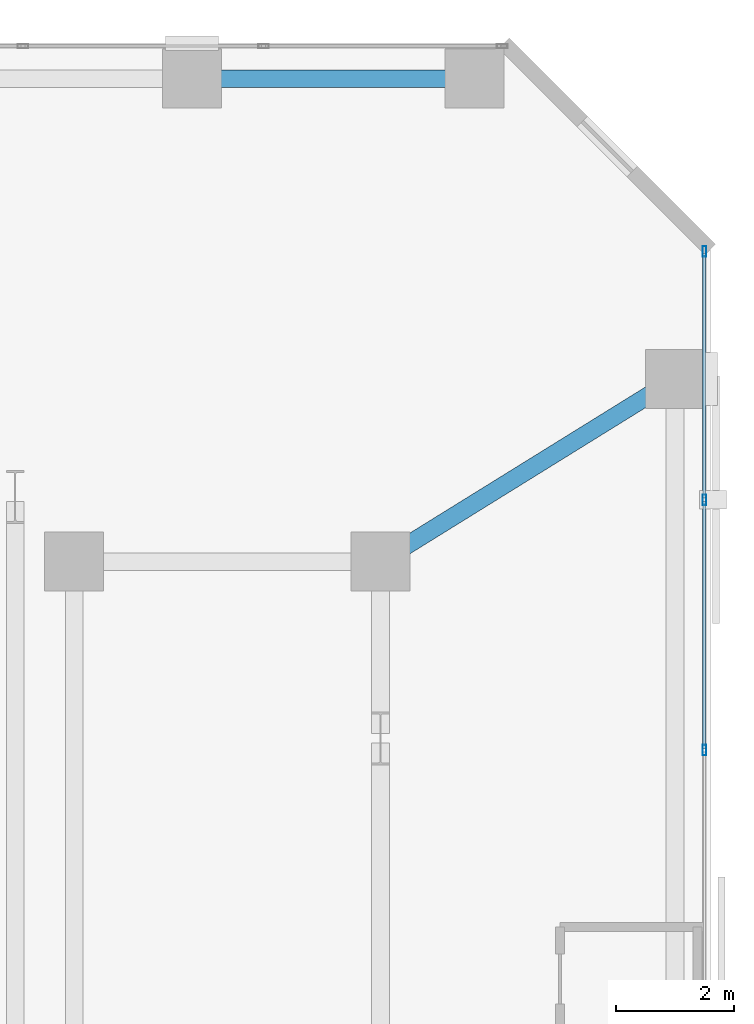
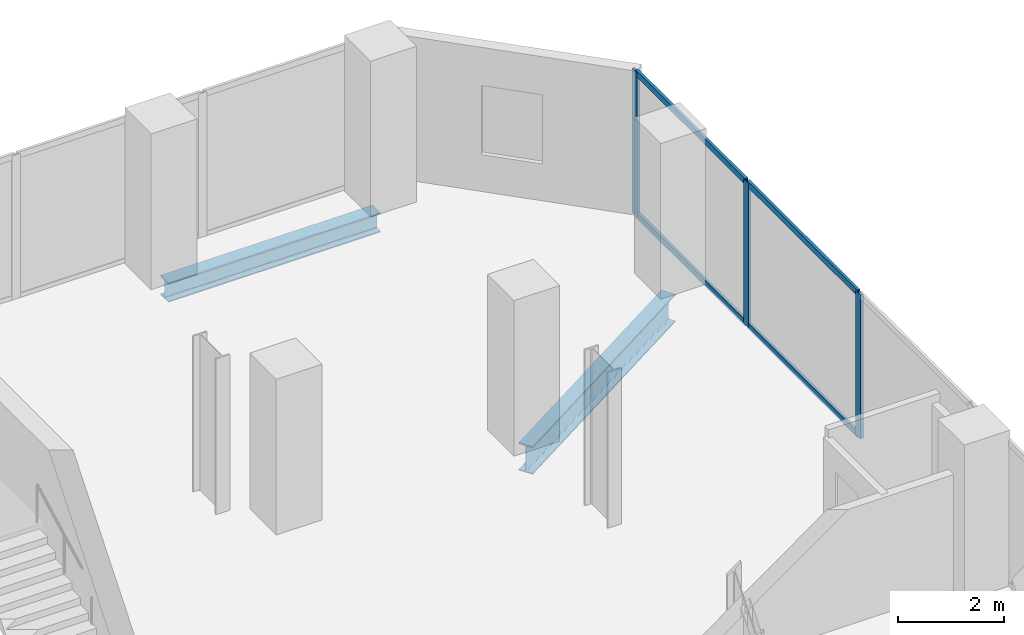
# One storey, part 23 of 31: 7 members, 2 beams, 1 element without a shape of its own.
"""IFC4 building model written with IfcOpenShell, lengths in metres."""

from ifc_helpers import new_model, si_unit, direction, frame, origin, origin_2d, place, context, subcontext, project, spatial, hollow_rectangle, i_section, extrude, material, layer, layer_set, material_profile, profile_set, type_object, element, aggregate, save


model = new_model("IFC4")

# Units and contexts
model_context = context("Model", 3, precision=1e-05, world=origin(), true_north=direction((0.0, 1.0)))
body_context = subcontext(model_context, "Body", "Model", "MODEL_VIEW")
ifc_project = project(units=[si_unit("LENGTHUNIT", "METRE"), si_unit("AREAUNIT", "SQUARE_METRE"), si_unit("VOLUMEUNIT", "CUBIC_METRE"), si_unit("PLANEANGLEUNIT", "RADIAN"), si_unit("MASSUNIT", "GRAM", prefix="KILO")], contexts=[model_context])

# Site, building, storey
site_placement = place(None, origin())
site = spatial("IfcSite", under=ifc_project, at=site_placement, CompositionType="ELEMENT")
building_placement = place(site_placement, origin())
building = spatial("IfcBuilding", under=site, at=building_placement, Name="Catumbela Crestline Tower", CompositionType="ELEMENT")
storey_placement = place(building_placement, frame((0.0, 0.0, 25.8)))
storey = spatial("IfcBuildingStorey", under=building, at=storey_placement, Name="L05", CompositionType="ELEMENT", Elevation=25.8)

# Beam
ifc_material_1 = material(Name="Structural steel S355J2", Category="steel")
ifc_material_profile_1 = material_profile(ifc_material_1, i_section(OverallWidth=0.3, OverallDepth=0.64, WebThickness=0.0135, FlangeThickness=0.026, FilletRadius=0.027, at=origin_2d()), Name="HEA 650")
ifc_profile_set_1 = profile_set([ifc_material_profile_1], Name="Structural steel S355J2")
beam_type_1 = type_object("IfcBeamType", Name="BG-HEA650", PredefinedType="BEAM", material=ifc_profile_set_1)
beam_1_placement = place(storey_placement, frame((50.468, 39.2422, -0.58), z_axis=(0.849908952007, 0.526929571479, 0.0), x_axis=(-0.526929571479, 0.849908952007, 0.0)))
element("IfcBeam", 1, at=beam_1_placement, inside=storey, type_object=beam_type_1, Name="L05 Beam BM-L05-N18", PredefinedType="BEAM", context=body_context, shape_type="SweptSolid", body=[
    extrude(i_section(OverallWidth=0.3, OverallDepth=0.64, WebThickness=0.0135, FlangeThickness=0.026, FilletRadius=0.027, at=origin_2d()), origin(), (0.0, 0.0, 1.0), 5.723),
])

# Curtain wall, members
ifc_material_2 = material(Name="Aluminium alloy AW-6060-T66", Category="aluminium")
ifc_layer = layer(ifc_material_2, 0.18, Name="Aluminium alloy AW-6060-T66")
ifc_layer_set = layer_set([ifc_layer], Name="Aluminium alloy AW-6060-T66")
curtain_wall_type = type_object("IfcCurtainWallType", Name="CWU-Z1", PredefinedType="USERDEFINED", material=ifc_layer_set)
curtain_wall_placement = place(storey_placement, origin())
curtain_wall = element("IfcCurtainWall", 2, at=curtain_wall_placement, inside=storey, type_object=curtain_wall_type, Name="L05 Unitised Curtain Wall CW-L05-E5S1", ObjectType="UNITISED", PredefinedType="USERDEFINED")
ifc_material_profile_2 = material_profile(ifc_material_2, hollow_rectangle(XDim=0.065, YDim=0.18, WallThickness=0.004, at=origin_2d()), Name="ALU 180x65x4")
ifc_profile_set_2 = profile_set([ifc_material_profile_2], Name="Aluminium alloy AW-6060-T66")
member_type_1 = type_object("IfcMemberType", Name="MUL-180X65", PredefinedType="MULLION", material=ifc_profile_set_2)
member_1_placement = place(storey_placement, frame((55.9, 36.0, 0.0), z_axis=(0.0, 0.0, 1.0), x_axis=(-1.0, 0.0, 0.0)))
member_1 = element("IfcMember", 3, at=member_1_placement, type_object=member_type_1, Name="CWU-Z1 mullion 3", PredefinedType="MULLION", context=body_context, shape_type="SweptSolid", body=[
    extrude(hollow_rectangle(XDim=0.065, YDim=0.18, WallThickness=0.004, at=origin_2d()), origin(), (0.0, 0.0, 1.0), 3.33),
])
member_2_placement = place(storey_placement, frame((55.9, 40.25, 0.0), z_axis=(0.0, 0.0, 1.0), x_axis=(-1.0, 0.0, 0.0)))
member_2 = element("IfcMember", 4, at=member_2_placement, type_object=member_type_1, Name="CWU-Z1 mullion 4", PredefinedType="MULLION", context=body_context, shape_type="SweptSolid", body=[
    extrude(hollow_rectangle(XDim=0.065, YDim=0.18, WallThickness=0.004, at=origin_2d()), origin(), (0.0, 0.0, 1.0), 3.33),
])
member_3_placement = place(storey_placement, frame((55.9, 44.4675, 0.0), z_axis=(0.0, 0.0, 1.0), x_axis=(-1.0, 0.0, 0.0)))
member_3 = element("IfcMember", 5, at=member_3_placement, type_object=member_type_1, Name="CWU-Z1 mullion 5", PredefinedType="MULLION", context=body_context, shape_type="SweptSolid", body=[
    extrude(hollow_rectangle(XDim=0.065, YDim=0.18, WallThickness=0.004, at=origin_2d()), origin(), (0.0, 0.0, 1.0), 3.33),
])

# Beam
ifc_material_profile_3 = material_profile(ifc_material_1, i_section(OverallWidth=0.3, OverallDepth=0.45, WebThickness=0.014, FlangeThickness=0.026, FilletRadius=0.027, at=origin_2d()), Name="HEB 450")
ifc_profile_set_3 = profile_set([ifc_material_profile_3], Name="Structural steel S355J2")
beam_type_2 = type_object("IfcBeamType", Name="BS-HEB450", PredefinedType="SPANDREL", material=ifc_profile_set_3)
beam_2_placement = place(storey_placement, frame((47.28, 47.4, -0.485), z_axis=(1.0, 0.0, 0.0), x_axis=(0.0, 1.0, 0.0)))
element("IfcBeam", 6, at=beam_2_placement, inside=storey, type_object=beam_type_2, Name="L05 Spandrel SP-L05-NF24", PredefinedType="SPANDREL", context=body_context, shape_type="SweptSolid", body=[
    extrude(i_section(OverallWidth=0.3, OverallDepth=0.45, WebThickness=0.014, FlangeThickness=0.026, FilletRadius=0.027, at=origin_2d()), origin(), (0.0, 0.0, 1.0), 4.64),
])

# Member
ifc_material_profile_4 = material_profile(ifc_material_2, hollow_rectangle(XDim=0.06, YDim=0.14, WallThickness=0.004, at=origin_2d()), Name="ALU 140x60x4")
ifc_profile_set_4 = profile_set([ifc_material_profile_4], Name="Aluminium alloy AW-6060-T66")
member_type_2 = type_object("IfcMemberType", Name="TRN-140X60", PredefinedType="USERDEFINED", material=ifc_profile_set_4)
member_4_placement = place(storey_placement, frame((55.9, 36.0325, 0.03), z_axis=(0.0, 1.0, 0.0), x_axis=(-1.0, 0.0, 0.0)))
member_4 = element("IfcMember", 7, at=member_4_placement, type_object=member_type_2, Name="CWU-Z1 transom 3.1", ObjectType="TRANSOM", PredefinedType="USERDEFINED", context=body_context, shape_type="SweptSolid", body=[
    extrude(hollow_rectangle(XDim=0.06, YDim=0.14, WallThickness=0.004, at=origin_2d()), origin(), (0.0, 0.0, 1.0), 4.185),
])

member_5_placement = place(storey_placement, frame((55.9, 36.0325, 3.3), z_axis=(0.0, 1.0, 0.0), x_axis=(-1.0, 0.0, 0.0)))
member_5 = element("IfcMember", 8, at=member_5_placement, type_object=member_type_2, Name="CWU-Z1 transom 3.2", ObjectType="TRANSOM", PredefinedType="USERDEFINED", context=body_context, shape_type="SweptSolid", body=[
    extrude(hollow_rectangle(XDim=0.06, YDim=0.14, WallThickness=0.004, at=origin_2d()), origin(), (0.0, 0.0, 1.0), 4.185),
])

member_6_placement = place(storey_placement, frame((55.9, 40.2825, 0.03), z_axis=(0.0, 1.0, 0.0), x_axis=(-1.0, 0.0, 0.0)))
member_6 = element("IfcMember", 9, at=member_6_placement, type_object=member_type_2, Name="CWU-Z1 transom 4.1", ObjectType="TRANSOM", PredefinedType="USERDEFINED", context=body_context, shape_type="SweptSolid", body=[
    extrude(hollow_rectangle(XDim=0.06, YDim=0.14, WallThickness=0.004, at=origin_2d()), origin(), (0.0, 0.0, 1.0), 4.1525),
])

member_7_placement = place(storey_placement, frame((55.9, 40.2825, 3.3), z_axis=(0.0, 1.0, 0.0), x_axis=(-1.0, 0.0, 0.0)))
member_7 = element("IfcMember", 10, at=member_7_placement, type_object=member_type_2, Name="CWU-Z1 transom 4.2", ObjectType="TRANSOM", PredefinedType="USERDEFINED", context=body_context, shape_type="SweptSolid", body=[
    extrude(hollow_rectangle(XDim=0.06, YDim=0.14, WallThickness=0.004, at=origin_2d()), origin(), (0.0, 0.0, 1.0), 4.1525),
])

aggregate(curtain_wall, [member_1, member_2, member_3, member_4, member_5, member_6, member_7])

save(model, "model.ifc")
